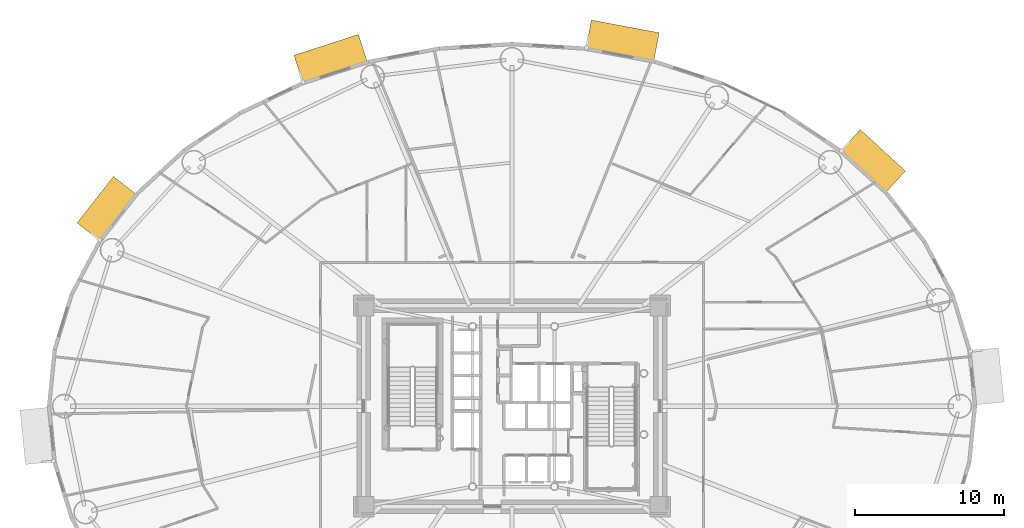
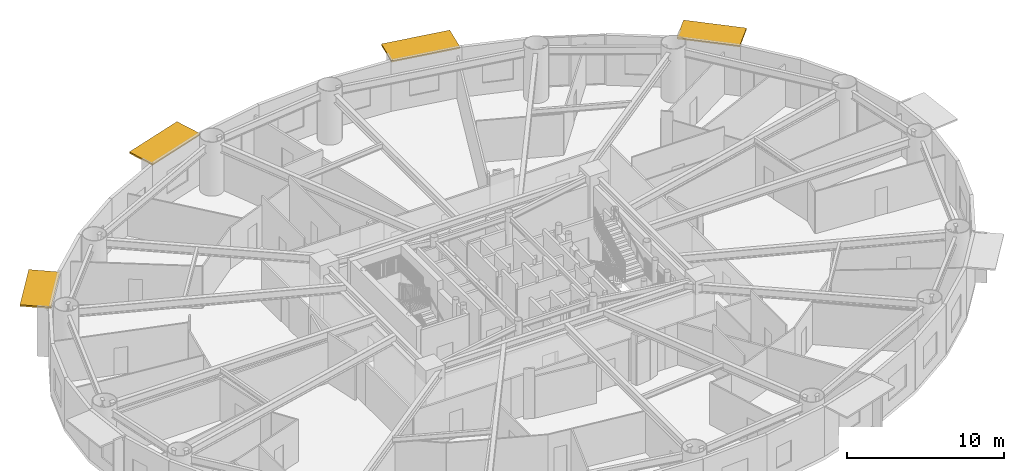
# One storey, part 21 of 21: 4 shading devices.
"""IFC4 building model written with IfcOpenShell, lengths in metres."""

from ifc_helpers import new_model, si_unit, direction, frame, origin, origin_2d, place, context, subcontext, project, spatial, rectangle, extrude, source, transform, mapped, material, layer, layer_set, type_object, element, save


model = new_model("IFC4")

# Units and contexts
model_context = context("Model", 3, precision=1e-05, world=origin(), true_north=direction((0.0, 1.0)))
body_context = subcontext(model_context, "Body", "Model", "MODEL_VIEW")
ifc_project = project(units=[si_unit("LENGTHUNIT", "METRE"), si_unit("AREAUNIT", "SQUARE_METRE"), si_unit("VOLUMEUNIT", "CUBIC_METRE"), si_unit("PLANEANGLEUNIT", "RADIAN"), si_unit("MASSUNIT", "GRAM", prefix="KILO")], contexts=[model_context])

# Site, building, storey
site_placement = place(None, origin())
site = spatial("IfcSite", under=ifc_project, at=site_placement, CompositionType="ELEMENT")
building_placement = place(site_placement, origin())
building = spatial("IfcBuilding", under=site, at=building_placement, Name="Linh Dai School and Residence Tower", CompositionType="ELEMENT")
storey_placement = place(building_placement, frame((0.0, 0.0, 82.800048828125)))
storey = spatial("IfcBuildingStorey", under=building, at=storey_placement, Name="L19", CompositionType="ELEMENT", Elevation=82.800048828125)

# Shading devices
ifc_material = material(Name="Terracotta Ceramic Sunshade", Category="masonry")
ifc_layer = layer(ifc_material, 0.1201171875)
ifc_layer_set = layer_set([ifc_layer], Name="Terracotta Ceramic Sunshade")
shading_device_type = type_object("IfcShadingDeviceType", Name="SHD-TC-2000", PredefinedType="USERDEFINED", material=ifc_layer_set)
shared_shape_1 = source(origin(), body_context, "Body", "SweptSolid", [
    extrude(rectangle(XDim=4.1220703125, YDim=2.0, at=origin_2d()), origin(), (0.0, 0.0, 1.0), 0.1201171875),
])
shading_device_1_placement = place(storey_placement, frame((60.2158203125, 43.43310546875, 3.760009765625), z_axis=(0.0, 0.0, 1.0), x_axis=(0.737113246362, -0.675769237268, 0.0)))
element("IfcShadingDevice", 1, at=shading_device_1_placement, inside=storey, type_object=shading_device_type, Name="L19 Terracotta Horizontal Sunshade Band 05", ObjectType="SUNSHADE", PredefinedType="USERDEFINED", context=body_context, shape_type="MappedRepresentation", body=[
    mapped(shared_shape_1, transform((0.0, 0.0, 0.0), x_axis=(1.0, 0.0, 0.0), y_axis=(0.0, 1.0, 0.0), z_axis=(0.0, 0.0, 1.0), scale=1.0)),
])
shared_shape_2 = source(origin(), body_context, "Body", "SweptSolid", [
    extrude(rectangle(XDim=4.635009765625, YDim=2.0, at=origin_2d()), origin(), (0.0, 0.0, 1.0), 0.1201171875),
])
shading_device_2_placement = place(storey_placement, frame((43.415283203125, 51.502685546875, 3.760009765625), z_axis=(0.0, 0.0, 1.0), x_axis=(0.982785935675, -0.184747948944, 0.0)))
element("IfcShadingDevice", 2, at=shading_device_2_placement, inside=storey, type_object=shading_device_type, Name="L19 Terracotta Horizontal Sunshade Band 09", ObjectType="SUNSHADE", PredefinedType="USERDEFINED", context=body_context, shape_type="MappedRepresentation", body=[
    mapped(shared_shape_2, transform((0.0, 0.0, 0.0), x_axis=(1.0, 0.0, 0.0), y_axis=(0.0, 1.0, 0.0), z_axis=(0.0, 0.0, 1.0), scale=1.0)),
])
shared_shape_3 = source(origin(), body_context, "Body", "SweptSolid", [
    extrude(rectangle(XDim=4.54931640625, YDim=2.0, at=origin_2d()), origin(), (0.0, 0.0, 1.0), 0.1201171875),
])
shading_device_3_placement = place(storey_placement, frame((23.839599609375, 50.29541015625, 3.760009765625), z_axis=(0.0, 0.0, 1.0), x_axis=(0.951220777043, 0.308510993844, 0.0)))
element("IfcShadingDevice", 3, at=shading_device_3_placement, inside=storey, type_object=shading_device_type, Name="L19 Terracotta Horizontal Sunshade Band 13", ObjectType="SUNSHADE", PredefinedType="USERDEFINED", context=body_context, shape_type="MappedRepresentation", body=[
    mapped(shared_shape_3, transform((0.0, 0.0, 0.0), x_axis=(1.0, 0.0, 0.0), y_axis=(0.0, 1.0, 0.0), z_axis=(0.0, 0.0, 1.0), scale=1.0)),
])
shared_shape_4 = source(origin(), body_context, "Body", "SweptSolid", [
    extrude(rectangle(XDim=3.964111328125, YDim=2.0, at=origin_2d()), origin(), (0.0, 0.0, 1.0), 0.1201171875),
])
shading_device_4_placement = place(storey_placement, frame((8.82177734375, 40.240478515625, 3.760009765625), z_axis=(0.0, 0.0, 1.0), x_axis=(0.616319427785, 0.787496262172, 0.0)))
element("IfcShadingDevice", 4, at=shading_device_4_placement, inside=storey, type_object=shading_device_type, Name="L19 Terracotta Horizontal Sunshade Band 17", ObjectType="SUNSHADE", PredefinedType="USERDEFINED", context=body_context, shape_type="MappedRepresentation", body=[
    mapped(shared_shape_4, transform((0.0, 0.0, 0.0), x_axis=(1.0, 0.0, 0.0), y_axis=(0.0, 1.0, 0.0), z_axis=(0.0, 0.0, 1.0), scale=1.0)),
])

save(model, "model.ifc")
